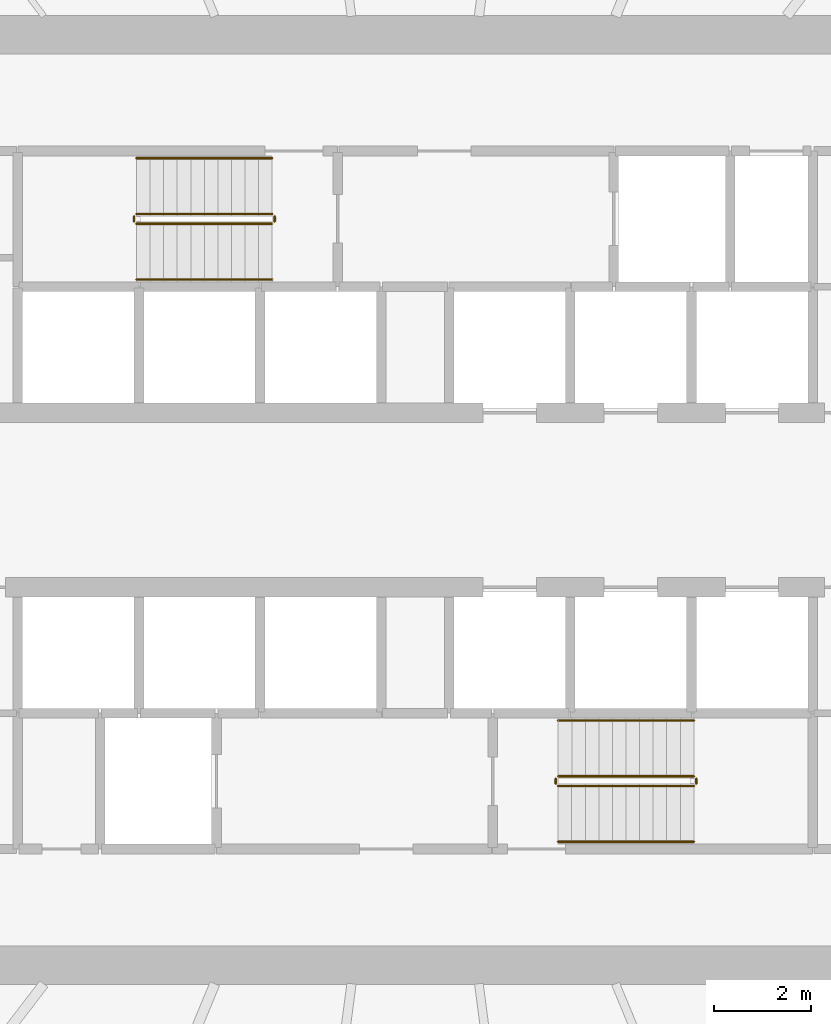
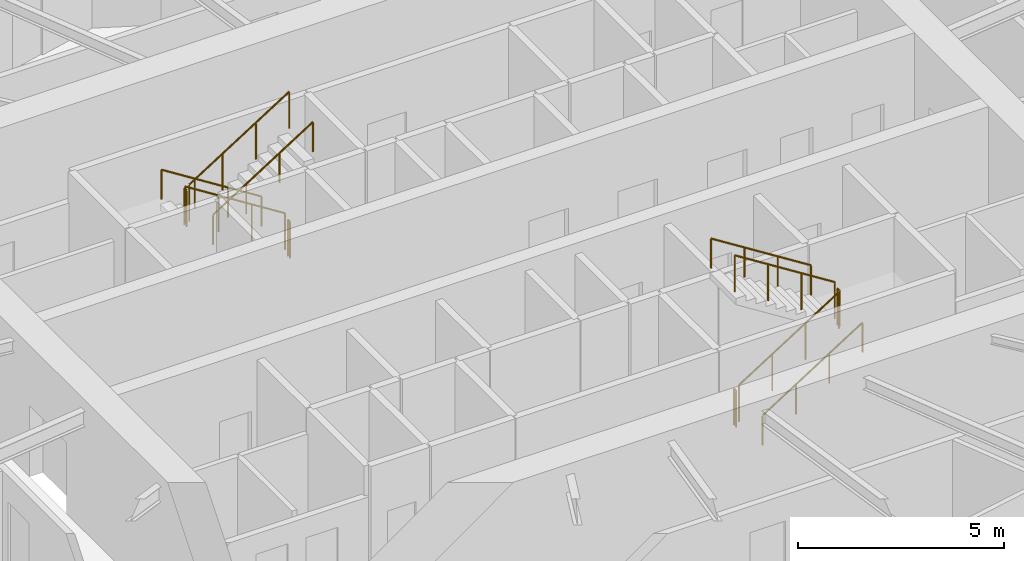
# One storey, part 18 of 19: 12 railings.
"""IFC4 building model written with IfcOpenShell, lengths in metres."""

from ifc_helpers import new_model, si_unit, direction, frame, origin, origin_2d, place, context, subcontext, project, spatial, circle, extrude, material, type_object, element, save


model = new_model("IFC4")

# Units and contexts
model_context = context("Model", 3, precision=1e-05, world=origin(), true_north=direction((0.0, 1.0)))
body_context = subcontext(model_context, "Body", "Model", "MODEL_VIEW")
ifc_project = project(units=[si_unit("LENGTHUNIT", "METRE"), si_unit("AREAUNIT", "SQUARE_METRE"), si_unit("VOLUMEUNIT", "CUBIC_METRE"), si_unit("PLANEANGLEUNIT", "RADIAN"), si_unit("MASSUNIT", "GRAM", prefix="KILO")], contexts=[model_context])

# Site, building, storey
site_placement = place(None, origin())
site = spatial("IfcSite", under=ifc_project, at=site_placement, CompositionType="ELEMENT")
building_placement = place(site_placement, origin())
building = spatial("IfcBuilding", under=site, at=building_placement, Name="Spindrift Exchange Tower", CompositionType="ELEMENT")
storey_placement = place(building_placement, frame((0.0, 0.0, 137.0)))
storey = spatial("IfcBuildingStorey", under=building, at=storey_placement, Name="L32", CompositionType="ELEMENT", Elevation=137.0)

# Railings
ifc_material_1 = material(Name="Steel balustrade", Category="steel")
railing_type_1 = type_object("IfcRailingType", Name="RL-STAIR-GUARD", PredefinedType="GUARDRAIL", material=ifc_material_1)
railing_1_placement = place(storey_placement, frame((49.050048828125, 53.89990234375, 0.17724609375)))
element("IfcRailing", 1, at=railing_1_placement, inside=storey, type_object=railing_type_1, Name="L32 ST1 stair guard 1", PredefinedType="GUARDRAIL", context=body_context, shape_type="SweptSolid", body=[
    extrude(circle(Radius=0.02392578125, at=origin_2d()), frame((0.0, 0.0, 1.076171875), z_axis=(-0.844908973607, 0.0, 0.534910110503), x_axis=(0.0, -1.0, 0.0)), (0.0, 0.0, 1.0), 3.31396484375),
    extrude(circle(Radius=0.02099609375, at=origin_2d()), origin(), (0.0, 0.0, 1.0), 1.052001953125),
    extrude(circle(Radius=0.02099609375, at=origin_2d()), frame((-0.933349609375, 0.0, 0.5908203125)), (0.0, 0.0, 1.0), 1.052001953125),
    extrude(circle(Radius=0.02099609375, at=origin_2d()), frame((-1.86669921875, 0.0, 1.181884765625)), (0.0, 0.0, 1.0), 1.052001953125),
    extrude(circle(Radius=0.02099609375, at=origin_2d()), frame((-2.800048828125, 0.0, 1.772705078125)), (0.0, 0.0, 1.0), 1.052001953125),
])
railing_2_placement = place(storey_placement, frame((46.199951171875, 53.85009765625, 1.949951171875)))
element("IfcRailing", 2, at=railing_2_placement, inside=storey, type_object=railing_type_1, Name="L32 ST1 stair guard 2", PredefinedType="GUARDRAIL", context=body_context, shape_type="SweptSolid", body=[
    extrude(circle(Radius=0.02392578125, at=origin_2d()), frame((0.0, 0.0, 1.076171875), z_axis=(0.0, -1.0, 0.0), x_axis=(1.0, 0.0, 0.0)), (0.0, 0.0, 1.0), 0.10009765625),
    extrude(circle(Radius=0.02099609375, at=origin_2d()), origin(), (0.0, 0.0, 1.0), 1.052001953125),
    extrude(circle(Radius=0.02099609375, at=origin_2d()), frame((0.0, -0.10009765625, 0.0)), (0.0, 0.0, 1.0), 1.052001953125),
])
railing_3_placement = place(storey_placement, frame((46.25, 53.699951171875, 2.127197265625)))
element("IfcRailing", 3, at=railing_3_placement, inside=storey, type_object=railing_type_1, Name="L32 ST1 stair guard 3", PredefinedType="GUARDRAIL", context=body_context, shape_type="SweptSolid", body=[
    extrude(circle(Radius=0.02392578125, at=origin_2d()), frame((0.0, 0.0, 1.076171875), z_axis=(0.844908973607, 0.0, 0.534910110503), x_axis=(0.0, 1.0, 0.0)), (0.0, 0.0, 1.0), 3.31396484375),
    extrude(circle(Radius=0.02099609375, at=origin_2d()), origin(), (0.0, 0.0, 1.0), 1.052001953125),
    extrude(circle(Radius=0.02099609375, at=origin_2d()), frame((0.933349609375, 0.0, 0.5908203125)), (0.0, 0.0, 1.0), 1.052001953125),
    extrude(circle(Radius=0.02099609375, at=origin_2d()), frame((1.86669921875, 0.0, 1.181884765625)), (0.0, 0.0, 1.0), 1.052001953125),
    extrude(circle(Radius=0.02099609375, at=origin_2d()), frame((2.800048828125, 0.0, 1.772705078125)), (0.0, 0.0, 1.0), 1.052001953125),
])
railing_4_placement = place(storey_placement, frame((49.10009765625, 53.85009765625, 0.0)))
element("IfcRailing", 4, at=railing_4_placement, inside=storey, type_object=railing_type_1, Name="L32 ST1 stair guard 4", PredefinedType="GUARDRAIL", context=body_context, shape_type="SweptSolid", body=[
    extrude(circle(Radius=0.02392578125, at=origin_2d()), frame((0.0, 0.0, 1.076171875), z_axis=(0.0, -1.0, 0.0), x_axis=(1.0, 0.0, 0.0)), (0.0, 0.0, 1.0), 0.10009765625),
    extrude(circle(Radius=0.02099609375, at=origin_2d()), origin(), (0.0, 0.0, 1.0), 1.052001953125),
    extrude(circle(Radius=0.02099609375, at=origin_2d()), frame((0.0, -0.10009765625, 0.0)), (0.0, 0.0, 1.0), 1.052001953125),
])
railing_5_placement = place(storey_placement, frame((54.949951171875, 42.10009765625, 0.17724609375)))
element("IfcRailing", 5, at=railing_5_placement, inside=storey, type_object=railing_type_1, Name="L32 ST2 stair guard 1", PredefinedType="GUARDRAIL", context=body_context, shape_type="SweptSolid", body=[
    extrude(circle(Radius=0.02392578125, at=origin_2d()), frame((0.0, 0.0, 1.076171875), z_axis=(0.844908973607, 0.0, 0.534910110503), x_axis=(0.0, 1.0, 0.0)), (0.0, 0.0, 1.0), 3.31396484375),
    extrude(circle(Radius=0.02099609375, at=origin_2d()), origin(), (0.0, 0.0, 1.0), 1.052001953125),
    extrude(circle(Radius=0.02099609375, at=origin_2d()), frame((0.933349609375, 0.0, 0.5908203125)), (0.0, 0.0, 1.0), 1.052001953125),
    extrude(circle(Radius=0.02099609375, at=origin_2d()), frame((1.86669921875, 0.0, 1.181884765625)), (0.0, 0.0, 1.0), 1.052001953125),
    extrude(circle(Radius=0.02099609375, at=origin_2d()), frame((2.800048828125, 0.0, 1.772705078125)), (0.0, 0.0, 1.0), 1.052001953125),
])
railing_6_placement = place(storey_placement, frame((57.800048828125, 42.14990234375, 1.949951171875)))
element("IfcRailing", 6, at=railing_6_placement, inside=storey, type_object=railing_type_1, Name="L32 ST2 stair guard 2", PredefinedType="GUARDRAIL", context=body_context, shape_type="SweptSolid", body=[
    extrude(circle(Radius=0.02392578125, at=origin_2d()), frame((0.0, 0.0, 1.076171875), z_axis=(0.0, 1.0, 0.0), x_axis=(-1.0, 0.0, 0.0)), (0.0, 0.0, 1.0), 0.10009765625),
    extrude(circle(Radius=0.02099609375, at=origin_2d()), origin(), (0.0, 0.0, 1.0), 1.052001953125),
    extrude(circle(Radius=0.02099609375, at=origin_2d()), frame((0.0, 0.10009765625, 0.0)), (0.0, 0.0, 1.0), 1.052001953125),
])
railing_7_placement = place(storey_placement, frame((57.75, 42.300048828125, 2.127197265625)))
element("IfcRailing", 7, at=railing_7_placement, inside=storey, type_object=railing_type_1, Name="L32 ST2 stair guard 3", PredefinedType="GUARDRAIL", context=body_context, shape_type="SweptSolid", body=[
    extrude(circle(Radius=0.02392578125, at=origin_2d()), frame((0.0, 0.0, 1.076171875), z_axis=(-0.844908973607, 0.0, 0.534910110503), x_axis=(0.0, -1.0, 0.0)), (0.0, 0.0, 1.0), 3.31396484375),
    extrude(circle(Radius=0.02099609375, at=origin_2d()), origin(), (0.0, 0.0, 1.0), 1.052001953125),
    extrude(circle(Radius=0.02099609375, at=origin_2d()), frame((-0.933349609375, 0.0, 0.5908203125)), (0.0, 0.0, 1.0), 1.052001953125),
    extrude(circle(Radius=0.02099609375, at=origin_2d()), frame((-1.86669921875, 0.0, 1.181884765625)), (0.0, 0.0, 1.0), 1.052001953125),
    extrude(circle(Radius=0.02099609375, at=origin_2d()), frame((-2.800048828125, 0.0, 1.772705078125)), (0.0, 0.0, 1.0), 1.052001953125),
])
railing_8_placement = place(storey_placement, frame((54.89990234375, 42.14990234375, 0.0)))
element("IfcRailing", 8, at=railing_8_placement, inside=storey, type_object=railing_type_1, Name="L32 ST2 stair guard 4", PredefinedType="GUARDRAIL", context=body_context, shape_type="SweptSolid", body=[
    extrude(circle(Radius=0.02392578125, at=origin_2d()), frame((0.0, 0.0, 1.076171875), z_axis=(0.0, 1.0, 0.0), x_axis=(-1.0, 0.0, 0.0)), (0.0, 0.0, 1.0), 0.10009765625),
    extrude(circle(Radius=0.02099609375, at=origin_2d()), origin(), (0.0, 0.0, 1.0), 1.052001953125),
    extrude(circle(Radius=0.02099609375, at=origin_2d()), frame((0.0, 0.10009765625, 0.0)), (0.0, 0.0, 1.0), 1.052001953125),
])
ifc_material_2 = material(Name="Steel tubular handrail", Category="steel")
railing_type_2 = type_object("IfcRailingType", Name="RL-STAIR-HAND", PredefinedType="HANDRAIL", material=ifc_material_2)
railing_9_placement = place(storey_placement, frame((49.050048828125, 55.050048828125, 0.17724609375)))
element("IfcRailing", 9, at=railing_9_placement, inside=storey, type_object=railing_type_2, Name="L32 ST1 stair handrail 1", PredefinedType="HANDRAIL", context=body_context, shape_type="SweptSolid", body=[
    extrude(circle(Radius=0.02392578125, at=origin_2d()), frame((0.0, 0.0, 0.8759765625), z_axis=(-0.844908973607, 0.0, 0.534910110503), x_axis=(0.0, -1.0, 0.0)), (0.0, 0.0, 1.0), 3.31396484375),
    extrude(circle(Radius=0.02099609375, at=origin_2d()), origin(), (0.0, 0.0, 1.0), 0.851806640625),
    extrude(circle(Radius=0.02099609375, at=origin_2d()), frame((-0.933349609375, 0.0, 0.5908203125)), (0.0, 0.0, 1.0), 0.851806640625),
    extrude(circle(Radius=0.02099609375, at=origin_2d()), frame((-1.86669921875, 0.0, 1.181884765625)), (0.0, 0.0, 1.0), 0.851806640625),
    extrude(circle(Radius=0.02099609375, at=origin_2d()), frame((-2.800048828125, 0.0, 1.772705078125)), (0.0, 0.0, 1.0), 0.851806640625),
])
for number, where, name in (
    (10, (46.25, 52.550048828125, 2.127197265625), "L32 ST1 stair handrail 2"),
    (11, (54.949951171875, 40.949951171875, 0.17724609375), "L32 ST2 stair handrail 1"),
):
    element("IfcRailing", number, at=place(storey_placement, frame(where)), inside=storey, type_object=railing_type_2, Name=name, PredefinedType="HANDRAIL", context=body_context, shape_type="SweptSolid", body=[
        extrude(circle(Radius=0.02392578125, at=origin_2d()), frame((0.0, 0.0, 0.8759765625), z_axis=(0.844908973607, 0.0, 0.534910110503), x_axis=(0.0, 1.0, 0.0)), (0.0, 0.0, 1.0), 3.31396484375),
        extrude(circle(Radius=0.02099609375, at=origin_2d()), origin(), (0.0, 0.0, 1.0), 0.851806640625),
        extrude(circle(Radius=0.02099609375, at=origin_2d()), frame((0.933349609375, 0.0, 0.5908203125)), (0.0, 0.0, 1.0), 0.851806640625),
        extrude(circle(Radius=0.02099609375, at=origin_2d()), frame((1.86669921875, 0.0, 1.181884765625)), (0.0, 0.0, 1.0), 0.851806640625),
        extrude(circle(Radius=0.02099609375, at=origin_2d()), frame((2.800048828125, 0.0, 1.772705078125)), (0.0, 0.0, 1.0), 0.851806640625),
    ])
railing_10_placement = place(storey_placement, frame((57.75, 43.449951171875, 2.127197265625)))
element("IfcRailing", 12, at=railing_10_placement, inside=storey, type_object=railing_type_2, Name="L32 ST2 stair handrail 2", PredefinedType="HANDRAIL", context=body_context, shape_type="SweptSolid", body=[
    extrude(circle(Radius=0.02392578125, at=origin_2d()), frame((0.0, 0.0, 0.8759765625), z_axis=(-0.844908973607, 0.0, 0.534910110503), x_axis=(0.0, -1.0, 0.0)), (0.0, 0.0, 1.0), 3.31396484375),
    extrude(circle(Radius=0.02099609375, at=origin_2d()), origin(), (0.0, 0.0, 1.0), 0.851806640625),
    extrude(circle(Radius=0.02099609375, at=origin_2d()), frame((-0.933349609375, 0.0, 0.5908203125)), (0.0, 0.0, 1.0), 0.851806640625),
    extrude(circle(Radius=0.02099609375, at=origin_2d()), frame((-1.86669921875, 0.0, 1.181884765625)), (0.0, 0.0, 1.0), 0.851806640625),
    extrude(circle(Radius=0.02099609375, at=origin_2d()), frame((-2.800048828125, 0.0, 1.772705078125)), (0.0, 0.0, 1.0), 0.851806640625),
])

save(model, "model.ifc")
